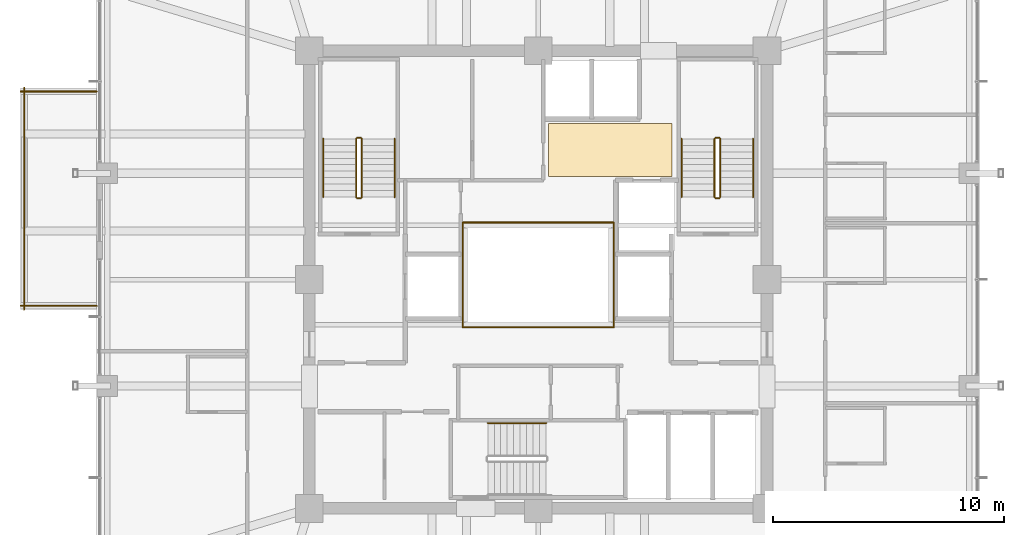
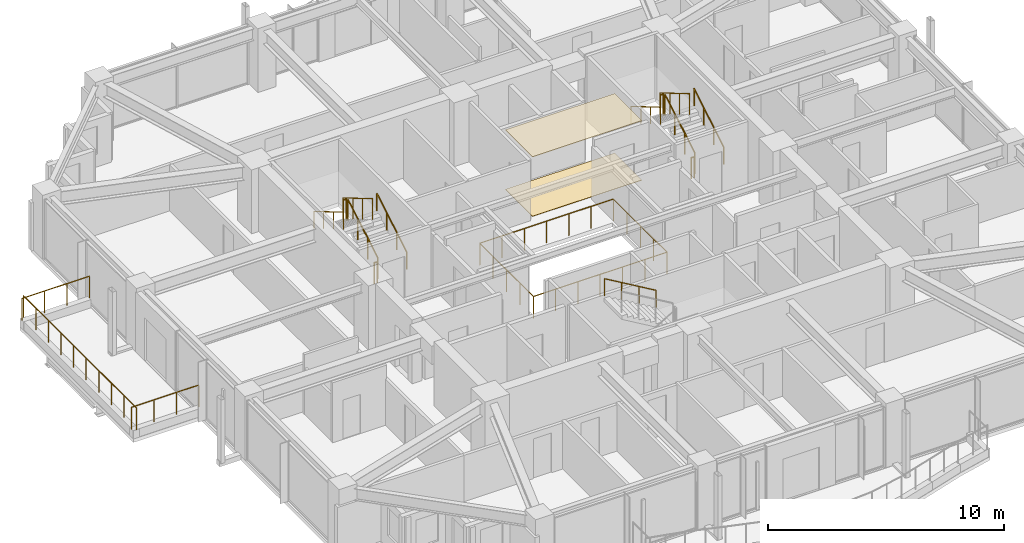
# One storey, part 33 of 34: 20 railings, 2 coverings.
"""IFC4 building model written with IfcOpenShell, lengths in metres."""

from ifc_helpers import new_model, si_unit, direction, frame, origin, origin_2d, place, context, subcontext, project, spatial, polyline, circle, outline, extrude, material, layer, layer_set, type_object, element, save


model = new_model("IFC4")

# Units and contexts
model_context = context("Model", 3, precision=1e-05, world=origin(), true_north=direction((0.0, 1.0)))
body_context = subcontext(model_context, "Body", "Model", "MODEL_VIEW")
ifc_project = project(units=[si_unit("LENGTHUNIT", "METRE"), si_unit("AREAUNIT", "SQUARE_METRE"), si_unit("VOLUMEUNIT", "CUBIC_METRE"), si_unit("PLANEANGLEUNIT", "RADIAN"), si_unit("MASSUNIT", "GRAM", prefix="KILO")], contexts=[model_context])

# Site, building, storey
site_placement = place(None, origin())
site = spatial("IfcSite", under=ifc_project, at=site_placement, CompositionType="ELEMENT")
building_placement = place(site_placement, origin())
building = spatial("IfcBuilding", under=site, at=building_placement, Name="Kolvaren Belvedere", CompositionType="ELEMENT")
storey_placement = place(building_placement, frame((0.0, 0.0, 166.800048828125)))
storey = spatial("IfcBuildingStorey", under=building, at=storey_placement, Name="L48", CompositionType="ELEMENT", Elevation=166.800048828125)

# Coverings
ifc_material_1 = material(Name="Acoustic perforated gypsum board", Category="gypsum")
ifc_layer_1 = layer(ifc_material_1, 0.02490234375)
ifc_layer_set_1 = layer_set([ifc_layer_1], Name="Acoustic perforated gypsum board")
covering_type_1 = type_object("IfcCoveringType", Name="COV-CEIL-GYP", PredefinedType="CEILING", material=ifc_layer_set_1)
covering_1_placement = place(storey_placement, frame((0.0, 0.0, 3.074951171875)))
element("IfcCovering", 1, at=covering_1_placement, inside=storey, type_object=covering_type_1, Name="L48 Lift Lobby Acoustic Baffle Ceiling", PredefinedType="CEILING", context=body_context, shape_type="SweptSolid", body=[
    extrude(outline(polyline([(0.449951171875, 4.449951171875), (5.800048828125, 4.449951171875), (5.800048828125, 6.75), (0.449951171875, 6.75), (0.449951171875, 4.449951171875)])), origin(), (0.0, 0.0, 1.0), 0.02490234375),
])
ifc_material_2 = material(Name="Engineered Pacific white oak", Category="timber")
ifc_layer_2 = layer(ifc_material_2, 0.02001953125)
ifc_layer_set_2 = layer_set([ifc_layer_2], Name="Engineered Pacific white oak")
covering_type_2 = type_object("IfcCoveringType", Name="COV-FLR-OAK", PredefinedType="FLOORING", material=ifc_layer_set_2)
covering_2_placement = place(storey_placement, origin())
element("IfcCovering", 2, at=covering_2_placement, inside=storey, type_object=covering_type_2, Name="L48 Lift Lobby Finish Flooring", PredefinedType="FLOORING", context=body_context, shape_type="SweptSolid", body=[
    extrude(outline(polyline([(0.449951171875, 4.449951171875), (5.800048828125, 4.449951171875), (5.800048828125, 6.75), (0.449951171875, 6.75), (0.449951171875, 4.449951171875)])), origin(), (0.0, 0.0, 1.0), 0.02001953125),
])

# Railings
ifc_material_3 = material(Name="Laminated glass & stainless-steel cap rail", Category="steel")
railing_type_1 = type_object("IfcRailingType", Name="RL-ATR-1150", PredefinedType="BALUSTRADE", material=ifc_material_3)
for number, where, name in (
    (3, (-3.27001953125, 2.469970703125, 0.0), "L48 Atrium North Glass Balustrade"),
    (4, (-3.27001953125, -2.070068359375, 0.0), "L48 Atrium South Glass Balustrade"),
):
    element("IfcRailing", number, at=place(storey_placement, frame(where)), inside=storey, type_object=railing_type_1, Name=name, PredefinedType="BALUSTRADE", context=body_context, shape_type="SweptSolid", body=[
        extrude(circle(Radius=0.02392578125, at=origin_2d()), frame((0.0, 0.0, 1.1259765625), z_axis=(1.0, 0.0, 0.0), x_axis=(0.0, 1.0, 0.0)), (0.0, 0.0, 1.0), 6.5400390625),
        extrude(circle(Radius=0.02099609375, at=origin_2d()), origin(), (0.0, 0.0, 1.0), 1.101806640625),
        extrude(circle(Radius=0.02099609375, at=origin_2d()), frame((1.090087890625, 0.0, 0.0)), (0.0, 0.0, 1.0), 1.101806640625),
        extrude(circle(Radius=0.02099609375, at=origin_2d()), frame((2.179931640625, 0.0, 0.0)), (0.0, 0.0, 1.0), 1.101806640625),
        extrude(circle(Radius=0.02099609375, at=origin_2d()), frame((3.27001953125, 0.0, 0.0)), (0.0, 0.0, 1.0), 1.101806640625),
        extrude(circle(Radius=0.02099609375, at=origin_2d()), frame((4.360107421875, 0.0, 0.0)), (0.0, 0.0, 1.0), 1.101806640625),
        extrude(circle(Radius=0.02099609375, at=origin_2d()), frame((5.449951171875, 0.0, 0.0)), (0.0, 0.0, 1.0), 1.101806640625),
        extrude(circle(Radius=0.02099609375, at=origin_2d()), frame((6.5400390625, 0.0, 0.0)), (0.0, 0.0, 1.0), 1.101806640625),
    ])
for number, where, name in (
    (5, (-3.27001953125, -2.070068359375, 0.0), "L48 Atrium West Glass Balustrade"),
    (6, (3.27001953125, -2.070068359375, 0.0), "L48 Atrium East Glass Balustrade"),
):
    element("IfcRailing", number, at=place(storey_placement, frame(where)), inside=storey, type_object=railing_type_1, Name=name, PredefinedType="BALUSTRADE", context=body_context, shape_type="SweptSolid", body=[
        extrude(circle(Radius=0.02392578125, at=origin_2d()), frame((0.0, 0.0, 1.1259765625), z_axis=(0.0, 1.0, 0.0), x_axis=(-1.0, 0.0, 0.0)), (0.0, 0.0, 1.0), 4.5400390625),
        extrude(circle(Radius=0.02099609375, at=origin_2d()), origin(), (0.0, 0.0, 1.0), 1.101806640625),
        extrude(circle(Radius=0.02099609375, at=origin_2d()), frame((0.0, 1.135009765625, 0.0)), (0.0, 0.0, 1.0), 1.101806640625),
        extrude(circle(Radius=0.02099609375, at=origin_2d()), frame((0.0, 2.27001953125, 0.0)), (0.0, 0.0, 1.0), 1.101806640625),
        extrude(circle(Radius=0.02099609375, at=origin_2d()), frame((0.0, 3.405029296875, 0.0)), (0.0, 0.0, 1.0), 1.101806640625),
        extrude(circle(Radius=0.02099609375, at=origin_2d()), frame((0.0, 4.5400390625, 0.0)), (0.0, 0.0, 1.0), 1.101806640625),
    ])
ifc_material_4 = material(Name="Anodised pale-metal aluminium & laminated glass guard", Category="aluminium")
railing_type_2 = type_object("IfcRailingType", Name="RL-GUARD-1150", PredefinedType="GUARDRAIL", material=ifc_material_4)
railing_1_placement = place(storey_placement, frame((-22.39990234375, -1.139892578125, 0.39990234375)))
element("IfcRailing", 7, at=railing_1_placement, inside=storey, type_object=railing_type_2, Name="L48 Exterior Deck Safety Guard SPIRAL-07-W-1", PredefinedType="GUARDRAIL", context=body_context, shape_type="SweptSolid", body=[
    extrude(circle(Radius=0.02392578125, at=origin_2d()), frame((0.0, 0.0, 1.1259765625), z_axis=(1.0, 0.0, 0.0), x_axis=(0.0, 1.0, 0.0)), (0.0, 0.0, 1.0), 3.2998046875),
    extrude(circle(Radius=0.02099609375, at=origin_2d()), origin(), (0.0, 0.0, 1.0), 1.101806640625),
    extrude(circle(Radius=0.02099609375, at=origin_2d()), frame((1.099853515625, 0.0, 0.0)), (0.0, 0.0, 1.0), 1.101806640625),
    extrude(circle(Radius=0.02099609375, at=origin_2d()), frame((2.199951171875, 0.0, 0.0)), (0.0, 0.0, 1.0), 1.101806640625),
    extrude(circle(Radius=0.02099609375, at=origin_2d()), frame((3.2998046875, 0.0, 0.0)), (0.0, 0.0, 1.0), 1.101806640625),
])
railing_2_placement = place(storey_placement, frame((-19.10009765625, 8.139892578125, 0.39990234375)))
element("IfcRailing", 8, at=railing_2_placement, inside=storey, type_object=railing_type_2, Name="L48 Exterior Deck Safety Guard SPIRAL-07-W-3", PredefinedType="GUARDRAIL", context=body_context, shape_type="SweptSolid", body=[
    extrude(circle(Radius=0.02392578125, at=origin_2d()), frame((0.0, 0.0, 1.1259765625), z_axis=(-1.0, 0.0, 0.0), x_axis=(0.0, -1.0, 0.0)), (0.0, 0.0, 1.0), 3.2998046875),
    extrude(circle(Radius=0.02099609375, at=origin_2d()), origin(), (0.0, 0.0, 1.0), 1.101806640625),
    extrude(circle(Radius=0.02099609375, at=origin_2d()), frame((-1.099853515625, 0.0, 0.0)), (0.0, 0.0, 1.0), 1.101806640625),
    extrude(circle(Radius=0.02099609375, at=origin_2d()), frame((-2.199951171875, 0.0, 0.0)), (0.0, 0.0, 1.0), 1.101806640625),
    extrude(circle(Radius=0.02099609375, at=origin_2d()), frame((-3.2998046875, 0.0, 0.0)), (0.0, 0.0, 1.0), 1.101806640625),
])
railing_3_placement = place(storey_placement, frame((-22.239990234375, 8.300048828125, 0.39990234375)))
element("IfcRailing", 9, at=railing_3_placement, inside=storey, type_object=railing_type_2, Name="L48 Exterior Deck Safety Guard SPIRAL-07-W-4", PredefinedType="GUARDRAIL", context=body_context, shape_type="SweptSolid", body=[
    extrude(circle(Radius=0.02392578125, at=origin_2d()), frame((0.0, 0.0, 1.1259765625), z_axis=(0.0, -1.0, 0.0), x_axis=(1.0, 0.0, 0.0)), (0.0, 0.0, 1.0), 9.60009765625),
    extrude(circle(Radius=0.02099609375, at=origin_2d()), origin(), (0.0, 0.0, 1.0), 1.101806640625),
    extrude(circle(Radius=0.02099609375, at=origin_2d()), frame((0.0, -1.066650390625, 0.0)), (0.0, 0.0, 1.0), 1.101806640625),
    extrude(circle(Radius=0.02099609375, at=origin_2d()), frame((0.0, -2.13330078125, 0.0)), (0.0, 0.0, 1.0), 1.101806640625),
    extrude(circle(Radius=0.02099609375, at=origin_2d()), frame((0.0, -3.199951171875, 0.0)), (0.0, 0.0, 1.0), 1.101806640625),
    extrude(circle(Radius=0.02099609375, at=origin_2d()), frame((0.0, -4.2666015625, 0.0)), (0.0, 0.0, 1.0), 1.101806640625),
    extrude(circle(Radius=0.02099609375, at=origin_2d()), frame((0.0, -5.33349609375, 0.0)), (0.0, 0.0, 1.0), 1.101806640625),
    extrude(circle(Radius=0.02099609375, at=origin_2d()), frame((0.0, -6.400146484375, 0.0)), (0.0, 0.0, 1.0), 1.101806640625),
    extrude(circle(Radius=0.02099609375, at=origin_2d()), frame((0.0, -7.466796875, 0.0)), (0.0, 0.0, 1.0), 1.101806640625),
    extrude(circle(Radius=0.02099609375, at=origin_2d()), frame((0.0, -8.533447265625, 0.0)), (0.0, 0.0, 1.0), 1.101806640625),
    extrude(circle(Radius=0.02099609375, at=origin_2d()), frame((0.0, -9.60009765625, 0.0)), (0.0, 0.0, 1.0), 1.101806640625),
])
ifc_material_5 = material(Name="Brushed stainless-steel handrail", Category="steel")
railing_type_3 = type_object("IfcRailingType", Name="RL-HANDRAIL-920", PredefinedType="HANDRAIL", material=ifc_material_5)
railing_4_placement = place(storey_placement, frame((-6.2099609375, 3.570068359375, 0.1650390625)))
element("IfcRailing", 10, at=railing_4_placement, inside=storey, type_object=railing_type_3, Name="L48 ST-1 stair handrail 1", PredefinedType="HANDRAIL", context=body_context, shape_type="SweptSolid", body=[
    extrude(circle(Radius=0.02392578125, at=origin_2d()), frame((0.0, 0.0, 0.8759765625), z_axis=(0.0, 0.861560626758, 0.507654692109), x_axis=(-1.0, 0.0, 0.0)), (0.0, 0.0, 1.0), 2.925048828125),
    extrude(circle(Radius=0.02099609375, at=origin_2d()), origin(), (0.0, 0.0, 1.0), 0.851806640625),
    extrude(circle(Radius=0.02099609375, at=origin_2d()), frame((0.0, 0.840087890625, 0.494873046875)), (0.0, 0.0, 1.0), 0.851806640625),
    extrude(circle(Radius=0.02099609375, at=origin_2d()), frame((0.0, 1.679931640625, 0.989990234375)), (0.0, 0.0, 1.0), 0.851806640625),
    extrude(circle(Radius=0.02099609375, at=origin_2d()), frame((0.0, 2.52001953125, 1.48486328125)), (0.0, 0.0, 1.0), 0.851806640625),
])
railing_5_placement = place(storey_placement, frame((-9.300048828125, 6.090087890625, 1.81494140625)))
element("IfcRailing", 11, at=railing_5_placement, inside=storey, type_object=railing_type_3, Name="L48 ST-1 stair handrail 2", PredefinedType="HANDRAIL", context=body_context, shape_type="SweptSolid", body=[
    extrude(circle(Radius=0.02392578125, at=origin_2d()), frame((0.0, 0.0, 0.8759765625), z_axis=(0.0, -0.86152411907, 0.507716645641), x_axis=(1.0, 0.0, 0.0)), (0.0, 0.0, 1.0), 2.925048828125),
    extrude(circle(Radius=0.02099609375, at=origin_2d()), origin(), (0.0, 0.0, 1.0), 0.851806640625),
    extrude(circle(Radius=0.02099609375, at=origin_2d()), frame((0.0, -0.840087890625, 0.4951171875)), (0.0, 0.0, 1.0), 0.851806640625),
    extrude(circle(Radius=0.02099609375, at=origin_2d()), frame((0.0, -1.679931640625, 0.989990234375)), (0.0, 0.0, 1.0), 0.851806640625),
    extrude(circle(Radius=0.02099609375, at=origin_2d()), frame((0.0, -2.52001953125, 1.485107421875)), (0.0, 0.0, 1.0), 0.851806640625),
])
railing_6_placement = place(storey_placement, frame((9.300048828125, 3.570068359375, 0.1650390625)))
element("IfcRailing", 12, at=railing_6_placement, inside=storey, type_object=railing_type_3, Name="L48 ST-2 stair handrail 1", PredefinedType="HANDRAIL", context=body_context, shape_type="SweptSolid", body=[
    extrude(circle(Radius=0.02392578125, at=origin_2d()), frame((0.0, 0.0, 0.8759765625), z_axis=(0.0, 0.861560626758, 0.507654692109), x_axis=(-1.0, 0.0, 0.0)), (0.0, 0.0, 1.0), 2.925048828125),
    extrude(circle(Radius=0.02099609375, at=origin_2d()), origin(), (0.0, 0.0, 1.0), 0.851806640625),
    extrude(circle(Radius=0.02099609375, at=origin_2d()), frame((0.0, 0.840087890625, 0.494873046875)), (0.0, 0.0, 1.0), 0.851806640625),
    extrude(circle(Radius=0.02099609375, at=origin_2d()), frame((0.0, 1.679931640625, 0.989990234375)), (0.0, 0.0, 1.0), 0.851806640625),
    extrude(circle(Radius=0.02099609375, at=origin_2d()), frame((0.0, 2.52001953125, 1.48486328125)), (0.0, 0.0, 1.0), 0.851806640625),
])
railing_7_placement = place(storey_placement, frame((6.2099609375, 6.090087890625, 1.81494140625)))
element("IfcRailing", 13, at=railing_7_placement, inside=storey, type_object=railing_type_3, Name="L48 ST-2 stair handrail 2", PredefinedType="HANDRAIL", context=body_context, shape_type="SweptSolid", body=[
    extrude(circle(Radius=0.02392578125, at=origin_2d()), frame((0.0, 0.0, 0.8759765625), z_axis=(0.0, -0.86152411907, 0.507716645641), x_axis=(1.0, 0.0, 0.0)), (0.0, 0.0, 1.0), 2.925048828125),
    extrude(circle(Radius=0.02099609375, at=origin_2d()), origin(), (0.0, 0.0, 1.0), 0.851806640625),
    extrude(circle(Radius=0.02099609375, at=origin_2d()), frame((0.0, -0.840087890625, 0.4951171875)), (0.0, 0.0, 1.0), 0.851806640625),
    extrude(circle(Radius=0.02099609375, at=origin_2d()), frame((0.0, -1.679931640625, 0.989990234375)), (0.0, 0.0, 1.0), 0.851806640625),
    extrude(circle(Radius=0.02099609375, at=origin_2d()), frame((0.0, -2.52001953125, 1.485107421875)), (0.0, 0.0, 1.0), 0.851806640625),
])
railing_8_placement = place(storey_placement, frame((0.340087890625, -6.2099609375, 1.81494140625)))
element("IfcRailing", 14, at=railing_8_placement, inside=storey, type_object=railing_type_3, Name="L48 ST-3 stair handrail 2", PredefinedType="HANDRAIL", context=body_context, shape_type="SweptSolid", body=[
    extrude(circle(Radius=0.02392578125, at=origin_2d()), frame((0.0, 0.0, 0.8759765625), z_axis=(-0.86152411907, 0.0, 0.507716645641), x_axis=(0.0, -1.0, 0.0)), (0.0, 0.0, 1.0), 2.925048828125),
    extrude(circle(Radius=0.02099609375, at=origin_2d()), origin(), (0.0, 0.0, 1.0), 0.851806640625),
    extrude(circle(Radius=0.02099609375, at=origin_2d()), frame((-0.840087890625, 0.0, 0.4951171875)), (0.0, 0.0, 1.0), 0.851806640625),
    extrude(circle(Radius=0.02099609375, at=origin_2d()), frame((-1.679931640625, 0.0, 0.989990234375)), (0.0, 0.0, 1.0), 0.851806640625),
    extrude(circle(Radius=0.02099609375, at=origin_2d()), frame((-2.52001953125, 0.0, 1.485107421875)), (0.0, 0.0, 1.0), 0.851806640625),
])
ifc_material_6 = material(Name="Painted tubular steel stair guard", Category="steel")
railing_type_4 = type_object("IfcRailingType", Name="RL-STGUARD-1100", PredefinedType="GUARDRAIL", material=ifc_material_6)
railing_9_placement = place(storey_placement, frame((-7.6298828125, 3.570068359375, 0.1650390625)))
element("IfcRailing", 15, at=railing_9_placement, inside=storey, type_object=railing_type_4, Name="L48 ST-1 stair guard 1", PredefinedType="GUARDRAIL", context=body_context, shape_type="SweptSolid", body=[
    extrude(circle(Radius=0.02392578125, at=origin_2d()), frame((0.0, 0.0, 1.076171875), z_axis=(0.0, 0.861560626758, 0.507654692109), x_axis=(-1.0, 0.0, 0.0)), (0.0, 0.0, 1.0), 2.925048828125),
    extrude(circle(Radius=0.02099609375, at=origin_2d()), origin(), (0.0, 0.0, 1.0), 1.052001953125),
    extrude(circle(Radius=0.02099609375, at=origin_2d()), frame((0.0, 0.840087890625, 0.494873046875)), (0.0, 0.0, 1.0), 1.052001953125),
    extrude(circle(Radius=0.02099609375, at=origin_2d()), frame((0.0, 1.679931640625, 0.989990234375)), (0.0, 0.0, 1.0), 1.052001953125),
    extrude(circle(Radius=0.02099609375, at=origin_2d()), frame((0.0, 2.52001953125, 1.48486328125)), (0.0, 0.0, 1.0), 1.052001953125),
])
railing_10_placement = place(storey_placement, frame((-7.679931640625, 6.139892578125, 1.64990234375)))
element("IfcRailing", 16, at=railing_10_placement, inside=storey, type_object=railing_type_4, Name="L48 ST-1 stair guard 2", PredefinedType="GUARDRAIL", context=body_context, shape_type="SweptSolid", body=[
    extrude(circle(Radius=0.02392578125, at=origin_2d()), frame((0.0, 0.0, 1.076171875), z_axis=(-1.0, 0.0, 0.0), x_axis=(0.0, -1.0, 0.0)), (0.0, 0.0, 1.0), 0.150146484375),
    extrude(circle(Radius=0.02099609375, at=origin_2d()), origin(), (0.0, 0.0, 1.0), 1.052001953125),
    extrude(circle(Radius=0.02099609375, at=origin_2d()), frame((-0.150146484375, 0.0, 0.0)), (0.0, 0.0, 1.0), 1.052001953125),
])
railing_11_placement = place(storey_placement, frame((-7.8798828125, 6.090087890625, 1.81494140625)))
element("IfcRailing", 17, at=railing_11_placement, inside=storey, type_object=railing_type_4, Name="L48 ST-1 stair guard 3", PredefinedType="GUARDRAIL", context=body_context, shape_type="SweptSolid", body=[
    extrude(circle(Radius=0.02392578125, at=origin_2d()), frame((0.0, 0.0, 1.076171875), z_axis=(0.0, -0.86152411907, 0.507716645641), x_axis=(1.0, 0.0, 0.0)), (0.0, 0.0, 1.0), 2.925048828125),
    extrude(circle(Radius=0.02099609375, at=origin_2d()), origin(), (0.0, 0.0, 1.0), 1.052001953125),
    extrude(circle(Radius=0.02099609375, at=origin_2d()), frame((0.0, -0.840087890625, 0.4951171875)), (0.0, 0.0, 1.0), 1.052001953125),
    extrude(circle(Radius=0.02099609375, at=origin_2d()), frame((0.0, -1.679931640625, 0.989990234375)), (0.0, 0.0, 1.0), 1.052001953125),
    extrude(circle(Radius=0.02099609375, at=origin_2d()), frame((0.0, -2.52001953125, 1.485107421875)), (0.0, 0.0, 1.0), 1.052001953125),
])
railing_12_placement = place(storey_placement, frame((-7.679931640625, 3.52001953125, 0.0)))
element("IfcRailing", 18, at=railing_12_placement, inside=storey, type_object=railing_type_4, Name="L48 ST-1 stair guard 4", PredefinedType="GUARDRAIL", context=body_context, shape_type="SweptSolid", body=[
    extrude(circle(Radius=0.02392578125, at=origin_2d()), frame((0.0, 0.0, 1.076171875), z_axis=(-1.0, 0.0, 0.0), x_axis=(0.0, -1.0, 0.0)), (0.0, 0.0, 1.0), 0.150146484375),
    extrude(circle(Radius=0.02099609375, at=origin_2d()), origin(), (0.0, 0.0, 1.0), 1.052001953125),
    extrude(circle(Radius=0.02099609375, at=origin_2d()), frame((-0.150146484375, 0.0, 0.0)), (0.0, 0.0, 1.0), 1.052001953125),
])
railing_13_placement = place(storey_placement, frame((7.8798828125, 3.570068359375, 0.1650390625)))
element("IfcRailing", 19, at=railing_13_placement, inside=storey, type_object=railing_type_4, Name="L48 ST-2 stair guard 1", PredefinedType="GUARDRAIL", context=body_context, shape_type="SweptSolid", body=[
    extrude(circle(Radius=0.02392578125, at=origin_2d()), frame((0.0, 0.0, 1.076171875), z_axis=(0.0, 0.861560626758, 0.507654692109), x_axis=(-1.0, 0.0, 0.0)), (0.0, 0.0, 1.0), 2.925048828125),
    extrude(circle(Radius=0.02099609375, at=origin_2d()), origin(), (0.0, 0.0, 1.0), 1.052001953125),
    extrude(circle(Radius=0.02099609375, at=origin_2d()), frame((0.0, 0.840087890625, 0.494873046875)), (0.0, 0.0, 1.0), 1.052001953125),
    extrude(circle(Radius=0.02099609375, at=origin_2d()), frame((0.0, 1.679931640625, 0.989990234375)), (0.0, 0.0, 1.0), 1.052001953125),
    extrude(circle(Radius=0.02099609375, at=origin_2d()), frame((0.0, 2.52001953125, 1.48486328125)), (0.0, 0.0, 1.0), 1.052001953125),
])
railing_14_placement = place(storey_placement, frame((7.830078125, 6.139892578125, 1.64990234375)))
element("IfcRailing", 20, at=railing_14_placement, inside=storey, type_object=railing_type_4, Name="L48 ST-2 stair guard 2", PredefinedType="GUARDRAIL", context=body_context, shape_type="SweptSolid", body=[
    extrude(circle(Radius=0.02392578125, at=origin_2d()), frame((0.0, 0.0, 1.076171875), z_axis=(-1.0, 0.0, 0.0), x_axis=(0.0, -1.0, 0.0)), (0.0, 0.0, 1.0), 0.150146484375),
    extrude(circle(Radius=0.02099609375, at=origin_2d()), origin(), (0.0, 0.0, 1.0), 1.052001953125),
    extrude(circle(Radius=0.02099609375, at=origin_2d()), frame((-0.150146484375, 0.0, 0.0)), (0.0, 0.0, 1.0), 1.052001953125),
])
railing_15_placement = place(storey_placement, frame((7.6298828125, 6.090087890625, 1.81494140625)))
element("IfcRailing", 21, at=railing_15_placement, inside=storey, type_object=railing_type_4, Name="L48 ST-2 stair guard 3", PredefinedType="GUARDRAIL", context=body_context, shape_type="SweptSolid", body=[
    extrude(circle(Radius=0.02392578125, at=origin_2d()), frame((0.0, 0.0, 1.076171875), z_axis=(0.0, -0.86152411907, 0.507716645641), x_axis=(1.0, 0.0, 0.0)), (0.0, 0.0, 1.0), 2.925048828125),
    extrude(circle(Radius=0.02099609375, at=origin_2d()), origin(), (0.0, 0.0, 1.0), 1.052001953125),
    extrude(circle(Radius=0.02099609375, at=origin_2d()), frame((0.0, -0.840087890625, 0.4951171875)), (0.0, 0.0, 1.0), 1.052001953125),
    extrude(circle(Radius=0.02099609375, at=origin_2d()), frame((0.0, -1.679931640625, 0.989990234375)), (0.0, 0.0, 1.0), 1.052001953125),
    extrude(circle(Radius=0.02099609375, at=origin_2d()), frame((0.0, -2.52001953125, 1.485107421875)), (0.0, 0.0, 1.0), 1.052001953125),
])
railing_16_placement = place(storey_placement, frame((7.830078125, 3.52001953125, 0.0)))
element("IfcRailing", 22, at=railing_16_placement, inside=storey, type_object=railing_type_4, Name="L48 ST-2 stair guard 4", PredefinedType="GUARDRAIL", context=body_context, shape_type="SweptSolid", body=[
    extrude(circle(Radius=0.02392578125, at=origin_2d()), frame((0.0, 0.0, 1.076171875), z_axis=(-1.0, 0.0, 0.0), x_axis=(0.0, -1.0, 0.0)), (0.0, 0.0, 1.0), 0.150146484375),
    extrude(circle(Radius=0.02099609375, at=origin_2d()), origin(), (0.0, 0.0, 1.0), 1.052001953125),
    extrude(circle(Radius=0.02099609375, at=origin_2d()), frame((-0.150146484375, 0.0, 0.0)), (0.0, 0.0, 1.0), 1.052001953125),
])

save(model, "model.ifc")
